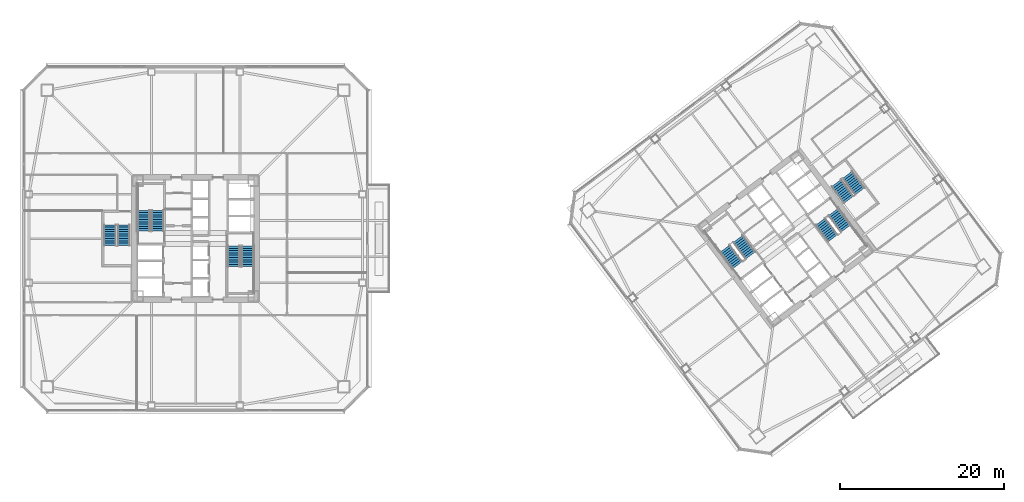
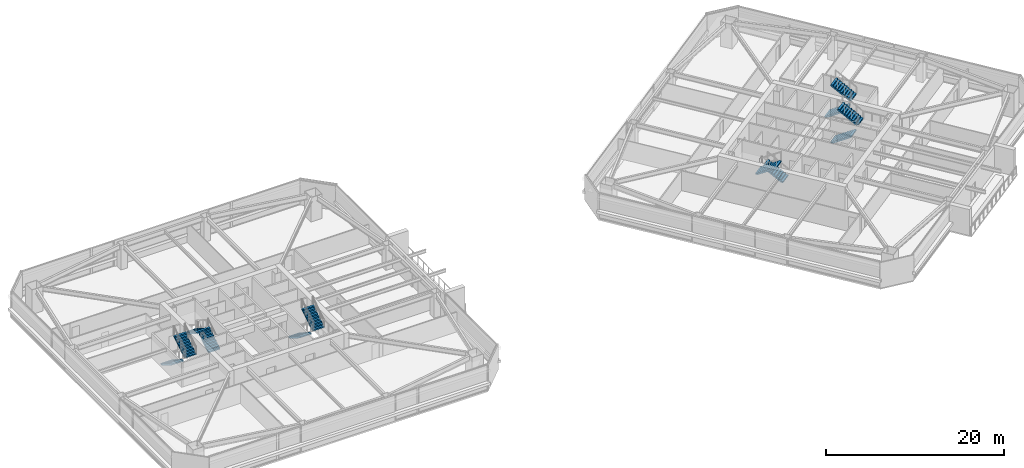
# One storey, part 39 of 46: 12 stair flights, 6 elements without a shape of their own.
"""IFC4 building model written with IfcOpenShell, lengths in metres."""

from ifc_helpers import new_model, si_unit, direction, frame, origin, place, context, subcontext, project, spatial, polyline, outline, extrude, material, type_object, element, aggregate, save


model = new_model("IFC4")

# Units and contexts
model_context = context("Model", 3, precision=1e-05, world=origin(), true_north=direction((0.0, 1.0)))
body_context = subcontext(model_context, "Body", "Model", "MODEL_VIEW")
ifc_project = project(units=[si_unit("LENGTHUNIT", "METRE"), si_unit("AREAUNIT", "SQUARE_METRE"), si_unit("VOLUMEUNIT", "CUBIC_METRE"), si_unit("PLANEANGLEUNIT", "RADIAN"), si_unit("MASSUNIT", "GRAM", prefix="KILO")], contexts=[model_context])

# Site, building, storey
site_placement = place(None, origin())
site = spatial("IfcSite", under=ifc_project, at=site_placement, CompositionType="ELEMENT")
building_placement = place(site_placement, origin())
building = spatial("IfcBuilding", under=site, at=building_placement, Name="Tashvorn Skyway Center", CompositionType="ELEMENT")
storey_placement = place(building_placement, frame((0.0, 0.0, 99.14990234375)))
storey = spatial("IfcBuildingStorey", under=building, at=storey_placement, Name="L26", CompositionType="ELEMENT", Elevation=99.14990234375)

# Stair, stair flights
ifc_material = material(Name="Concrete C40/50", Category="concrete")
stair_type = type_object("IfcStairType", Name="STAIR-CORE-1500", PredefinedType="HALF_TURN_STAIR", material=ifc_material)
stair_1_placement = place(storey_placement, origin())
stair_1 = element("IfcStair", 1, at=stair_1_placement, inside=storey, type_object=stair_type, Name="L26 Tower 1 Exit Stair 1", PredefinedType="HALF_TURN_STAIR")
stair_flight_type = type_object("IfcStairFlightType", Name="SFLIGHT-1500", PredefinedType="STRAIGHT", material=ifc_material)
stair_flight_1_placement = place(storey_placement, frame((37.35009765625, 32.919921875, 0.0), z_axis=(0.0, 0.0, 1.0), x_axis=(0.0, 1.0, 0.0)))
stair_flight_1 = element("IfcStairFlight", 2, at=stair_flight_1_placement, type_object=stair_flight_type, Name="ST-T1-1 flight 1", NumberOfRisers=10, NumberOfTreads=9, PredefinedType="STRAIGHT", RiserHeight=0.1775, TreadLength=0.28, context=body_context, shape_type="SweptSolid", body=[
    extrude(outline(polyline([(0.0, 0.0), (0.0, 0.177490234375), (0.280029296875, 0.177490234375), (0.280029296875, 0.35498046875), (0.56005859375, 0.35498046875), (0.56005859375, 0.532470703125), (0.840087890625, 0.532470703125), (0.840087890625, 0.7099609375), (1.1201171875, 0.7099609375), (1.1201171875, 0.887451171875), (1.39990234375, 0.887451171875), (1.39990234375, 1.06494140625), (1.679931640625, 1.06494140625), (1.679931640625, 1.242431640625), (1.9599609375, 1.242431640625), (1.9599609375, 1.419921875), (2.239990234375, 1.419921875), (2.239990234375, 1.597412109375), (2.52001953125, 1.597412109375), (2.52001953125, 1.77490234375), (2.52001953125, 1.419921875), (0.280029296875, 0.0), (0.0, 0.0)])), frame((0.0, 0.75, 0.0), z_axis=(0.0, -1.0, 0.0), x_axis=(1.0, 0.0, 0.0)), (0.0, 0.0, 1.0), 1.5),
])
stair_flight_2_placement = place(storey_placement, frame((35.64990234375, 35.43994140625, 1.775146484375), z_axis=(0.0, 0.0, 1.0), x_axis=(0.0, -1.0, 0.0)))
stair_flight_2 = element("IfcStairFlight", 3, at=stair_flight_2_placement, type_object=stair_flight_type, Name="ST-T1-1 flight 2", NumberOfRisers=10, NumberOfTreads=9, PredefinedType="STRAIGHT", RiserHeight=0.1775, TreadLength=0.28, context=body_context, shape_type="SweptSolid", body=[
    extrude(outline(polyline([(0.0, 0.0), (0.0, 0.177490234375), (0.280029296875, 0.177490234375), (0.280029296875, 0.35498046875), (0.56005859375, 0.35498046875), (0.56005859375, 0.532470703125), (0.840087890625, 0.532470703125), (0.840087890625, 0.7099609375), (1.1201171875, 0.7099609375), (1.1201171875, 0.887451171875), (1.39990234375, 0.887451171875), (1.39990234375, 1.06494140625), (1.679931640625, 1.06494140625), (1.679931640625, 1.242431640625), (1.9599609375, 1.242431640625), (1.9599609375, 1.419921875), (2.239990234375, 1.419921875), (2.239990234375, 1.597412109375), (2.52001953125, 1.597412109375), (2.52001953125, 1.77490234375), (2.52001953125, 1.419921875), (0.280029296875, 0.0), (0.0, 0.0)])), frame((0.0, 0.75, 0.0), z_axis=(0.0, -1.0, 0.0), x_axis=(1.0, 0.0, 0.0)), (0.0, 0.0, 1.0), 1.5),
])
aggregate(stair_1, [stair_flight_1, stair_flight_2])

stair_2_placement = place(storey_placement, origin())
stair_2 = element("IfcStair", 4, at=stair_2_placement, inside=storey, type_object=stair_type, Name="L26 Tower 1 Exit Stair 2", PredefinedType="HALF_TURN_STAIR")
stair_flight_3_placement = place(storey_placement, frame((46.64990234375, 31.080078125, 0.0), z_axis=(0.0, 0.0, 1.0), x_axis=(0.0, -1.0, 0.0)))
stair_flight_3 = element("IfcStairFlight", 5, at=stair_flight_3_placement, type_object=stair_flight_type, Name="ST-T1-2 flight 1", NumberOfRisers=10, NumberOfTreads=9, PredefinedType="STRAIGHT", RiserHeight=0.1775, TreadLength=0.28, context=body_context, shape_type="SweptSolid", body=[
    extrude(outline(polyline([(0.0, 0.0), (0.0, 0.177490234375), (0.280029296875, 0.177490234375), (0.280029296875, 0.35498046875), (0.56005859375, 0.35498046875), (0.56005859375, 0.532470703125), (0.840087890625, 0.532470703125), (0.840087890625, 0.7099609375), (1.1201171875, 0.7099609375), (1.1201171875, 0.887451171875), (1.39990234375, 0.887451171875), (1.39990234375, 1.06494140625), (1.679931640625, 1.06494140625), (1.679931640625, 1.242431640625), (1.9599609375, 1.242431640625), (1.9599609375, 1.419921875), (2.239990234375, 1.419921875), (2.239990234375, 1.597412109375), (2.52001953125, 1.597412109375), (2.52001953125, 1.77490234375), (2.52001953125, 1.419921875), (0.280029296875, 0.0), (0.0, 0.0)])), frame((0.0, 0.75, 0.0), z_axis=(0.0, -1.0, 0.0), x_axis=(1.0, 0.0, 0.0)), (0.0, 0.0, 1.0), 1.5),
])
stair_flight_4_placement = place(storey_placement, frame((48.35009765625, 28.56005859375, 1.775146484375), z_axis=(0.0, 0.0, 1.0), x_axis=(0.0, 1.0, 0.0)))
stair_flight_4 = element("IfcStairFlight", 6, at=stair_flight_4_placement, type_object=stair_flight_type, Name="ST-T1-2 flight 2", NumberOfRisers=10, NumberOfTreads=9, PredefinedType="STRAIGHT", RiserHeight=0.1775, TreadLength=0.28, context=body_context, shape_type="SweptSolid", body=[
    extrude(outline(polyline([(0.0, 0.0), (0.0, 0.177490234375), (0.280029296875, 0.177490234375), (0.280029296875, 0.35498046875), (0.56005859375, 0.35498046875), (0.56005859375, 0.532470703125), (0.840087890625, 0.532470703125), (0.840087890625, 0.7099609375), (1.1201171875, 0.7099609375), (1.1201171875, 0.887451171875), (1.39990234375, 0.887451171875), (1.39990234375, 1.06494140625), (1.679931640625, 1.06494140625), (1.679931640625, 1.242431640625), (1.9599609375, 1.242431640625), (1.9599609375, 1.419921875), (2.239990234375, 1.419921875), (2.239990234375, 1.597412109375), (2.52001953125, 1.597412109375), (2.52001953125, 1.77490234375), (2.52001953125, 1.419921875), (0.280029296875, 0.0), (0.0, 0.0)])), frame((0.0, 0.75, 0.0), z_axis=(0.0, -1.0, 0.0), x_axis=(1.0, 0.0, 0.0)), (0.0, 0.0, 1.0), 1.5),
])
aggregate(stair_2, [stair_flight_3, stair_flight_4])

stair_3_placement = place(storey_placement, origin())
stair_3 = element("IfcStair", 7, at=stair_3_placement, inside=storey, type_object=stair_type, Name="L26 Tower 2 Exit Stair 1", PredefinedType="HALF_TURN_STAIR")
stair_flight_5_placement = place(storey_placement, frame((109.72802734375, 29.946044921875, 0.0), z_axis=(0.0, 0.0, 1.0), x_axis=(-0.600000004945, 0.799999996291, 0.0)))
stair_flight_5 = element("IfcStairFlight", 8, at=stair_flight_5_placement, type_object=stair_flight_type, Name="ST-T2-1 flight 1", NumberOfRisers=10, NumberOfTreads=9, PredefinedType="STRAIGHT", RiserHeight=0.1775, TreadLength=0.28, context=body_context, shape_type="SweptSolid", body=[
    extrude(outline(polyline([(0.0, 0.0), (0.0, 0.177490234375), (0.280029296875, 0.177490234375), (0.280029296875, 0.35498046875), (0.56005859375, 0.35498046875), (0.56005859375, 0.532470703125), (0.840087890625, 0.532470703125), (0.840087890625, 0.7099609375), (1.1201171875, 0.7099609375), (1.1201171875, 0.887451171875), (1.39990234375, 0.887451171875), (1.39990234375, 1.06494140625), (1.679931640625, 1.06494140625), (1.679931640625, 1.242431640625), (1.9599609375, 1.242431640625), (1.9599609375, 1.419921875), (2.239990234375, 1.419921875), (2.239990234375, 1.597412109375), (2.52001953125, 1.597412109375), (2.52001953125, 1.77490234375), (2.52001953125, 1.419921875), (0.280029296875, 0.0), (0.0, 0.0)])), frame((0.0, 0.75, 0.0), z_axis=(0.0, -1.0, 0.0), x_axis=(1.0, 0.0, 0.0)), (0.0, 0.0, 1.0), 1.5),
])
stair_flight_6_placement = place(storey_placement, frame((106.632080078125, 30.77392578125, 1.775146484375), z_axis=(0.0, 0.0, 1.0), x_axis=(0.600000004945, -0.799999996291, 0.0)))
stair_flight_6 = element("IfcStairFlight", 9, at=stair_flight_6_placement, type_object=stair_flight_type, Name="ST-T2-1 flight 2", NumberOfRisers=10, NumberOfTreads=9, PredefinedType="STRAIGHT", RiserHeight=0.1775, TreadLength=0.28, context=body_context, shape_type="SweptSolid", body=[
    extrude(outline(polyline([(0.0, 0.0), (0.0, 0.177490234375), (0.280029296875, 0.177490234375), (0.280029296875, 0.35498046875), (0.56005859375, 0.35498046875), (0.56005859375, 0.532470703125), (0.840087890625, 0.532470703125), (0.840087890625, 0.7099609375), (1.1201171875, 0.7099609375), (1.1201171875, 0.887451171875), (1.39990234375, 0.887451171875), (1.39990234375, 1.06494140625), (1.679931640625, 1.06494140625), (1.679931640625, 1.242431640625), (1.9599609375, 1.242431640625), (1.9599609375, 1.419921875), (2.239990234375, 1.419921875), (2.239990234375, 1.597412109375), (2.52001953125, 1.597412109375), (2.52001953125, 1.77490234375), (2.52001953125, 1.419921875), (0.280029296875, 0.0), (0.0, 0.0)])), frame((0.0, 0.75, 0.0), z_axis=(0.0, -1.0, 0.0), x_axis=(1.0, 0.0, 0.0)), (0.0, 0.0, 1.0), 1.5),
])
aggregate(stair_3, [stair_flight_5, stair_flight_6])

stair_4_placement = place(storey_placement, origin())
stair_4 = element("IfcStair", 10, at=stair_4_placement, inside=storey, type_object=stair_type, Name="L26 Tower 2 Exit Stair 2", PredefinedType="HALF_TURN_STAIR")
stair_flight_7_placement = place(storey_placement, frame((118.27197265625, 34.053955078125, 0.0), z_axis=(0.0, 0.0, 1.0), x_axis=(0.600000004945, -0.799999996291, 0.0)))
stair_flight_7 = element("IfcStairFlight", 11, at=stair_flight_7_placement, type_object=stair_flight_type, Name="ST-T2-2 flight 1", NumberOfRisers=10, NumberOfTreads=9, PredefinedType="STRAIGHT", RiserHeight=0.1775, TreadLength=0.28, context=body_context, shape_type="SweptSolid", body=[
    extrude(outline(polyline([(0.0, 0.0), (0.0, 0.177490234375), (0.280029296875, 0.177490234375), (0.280029296875, 0.35498046875), (0.56005859375, 0.35498046875), (0.56005859375, 0.532470703125), (0.840087890625, 0.532470703125), (0.840087890625, 0.7099609375), (1.1201171875, 0.7099609375), (1.1201171875, 0.887451171875), (1.39990234375, 0.887451171875), (1.39990234375, 1.06494140625), (1.679931640625, 1.06494140625), (1.679931640625, 1.242431640625), (1.9599609375, 1.242431640625), (1.9599609375, 1.419921875), (2.239990234375, 1.419921875), (2.239990234375, 1.597412109375), (2.52001953125, 1.597412109375), (2.52001953125, 1.77490234375), (2.52001953125, 1.419921875), (0.280029296875, 0.0), (0.0, 0.0)])), frame((0.0, 0.75, 0.0), z_axis=(0.0, -1.0, 0.0), x_axis=(1.0, 0.0, 0.0)), (0.0, 0.0, 1.0), 1.5),
])
stair_flight_8_placement = place(storey_placement, frame((121.367919921875, 33.22607421875, 1.775146484375), z_axis=(0.0, 0.0, 1.0), x_axis=(-0.600000004945, 0.799999996291, 0.0)))
stair_flight_8 = element("IfcStairFlight", 12, at=stair_flight_8_placement, type_object=stair_flight_type, Name="ST-T2-2 flight 2", NumberOfRisers=10, NumberOfTreads=9, PredefinedType="STRAIGHT", RiserHeight=0.1775, TreadLength=0.28, context=body_context, shape_type="SweptSolid", body=[
    extrude(outline(polyline([(0.0, 0.0), (0.0, 0.177490234375), (0.280029296875, 0.177490234375), (0.280029296875, 0.35498046875), (0.56005859375, 0.35498046875), (0.56005859375, 0.532470703125), (0.840087890625, 0.532470703125), (0.840087890625, 0.7099609375), (1.1201171875, 0.7099609375), (1.1201171875, 0.887451171875), (1.39990234375, 0.887451171875), (1.39990234375, 1.06494140625), (1.679931640625, 1.06494140625), (1.679931640625, 1.242431640625), (1.9599609375, 1.242431640625), (1.9599609375, 1.419921875), (2.239990234375, 1.419921875), (2.239990234375, 1.597412109375), (2.52001953125, 1.597412109375), (2.52001953125, 1.77490234375), (2.52001953125, 1.419921875), (0.280029296875, 0.0), (0.0, 0.0)])), frame((0.0, 0.75, 0.0), z_axis=(0.0, -1.0, 0.0), x_axis=(1.0, 0.0, 0.0)), (0.0, 0.0, 1.0), 1.5),
])
aggregate(stair_4, [stair_flight_7, stair_flight_8])

stair_5_placement = place(storey_placement, origin())
stair_5 = element("IfcStair", 13, at=stair_5_placement, inside=storey, type_object=stair_type, Name="L26 Tower 1 Exit Stair 3", PredefinedType="HALF_TURN_STAIR")
stair_flight_9_placement = place(storey_placement, frame((31.550048828125, 33.679931640625, 0.0), z_axis=(0.0, 0.0, 1.0), x_axis=(0.0, -1.0, 0.0)))
stair_flight_9 = element("IfcStairFlight", 14, at=stair_flight_9_placement, type_object=stair_flight_type, Name="ST-T1-3 flight 1", NumberOfRisers=10, NumberOfTreads=9, PredefinedType="STRAIGHT", RiserHeight=0.1775, TreadLength=0.28, context=body_context, shape_type="SweptSolid", body=[
    extrude(outline(polyline([(0.0, 0.0), (0.0, 0.177490234375), (0.280029296875, 0.177490234375), (0.280029296875, 0.35498046875), (0.56005859375, 0.35498046875), (0.56005859375, 0.532470703125), (0.840087890625, 0.532470703125), (0.840087890625, 0.7099609375), (1.1201171875, 0.7099609375), (1.1201171875, 0.887451171875), (1.39990234375, 0.887451171875), (1.39990234375, 1.06494140625), (1.679931640625, 1.06494140625), (1.679931640625, 1.242431640625), (1.9599609375, 1.242431640625), (1.9599609375, 1.419921875), (2.239990234375, 1.419921875), (2.239990234375, 1.597412109375), (2.52001953125, 1.597412109375), (2.52001953125, 1.77490234375), (2.52001953125, 1.419921875), (0.280029296875, 0.0), (0.0, 0.0)])), frame((0.0, 0.75, 0.0), z_axis=(0.0, -1.0, 0.0), x_axis=(1.0, 0.0, 0.0)), (0.0, 0.0, 1.0), 1.5),
])
stair_flight_10_placement = place(storey_placement, frame((33.25, 31.159912109375, 1.775146484375), z_axis=(0.0, 0.0, 1.0), x_axis=(0.0, 1.0, 0.0)))
stair_flight_10 = element("IfcStairFlight", 15, at=stair_flight_10_placement, type_object=stair_flight_type, Name="ST-T1-3 flight 2", NumberOfRisers=10, NumberOfTreads=9, PredefinedType="STRAIGHT", RiserHeight=0.1775, TreadLength=0.28, context=body_context, shape_type="SweptSolid", body=[
    extrude(outline(polyline([(0.0, 0.0), (0.0, 0.177490234375), (0.280029296875, 0.177490234375), (0.280029296875, 0.35498046875), (0.56005859375, 0.35498046875), (0.56005859375, 0.532470703125), (0.840087890625, 0.532470703125), (0.840087890625, 0.7099609375), (1.1201171875, 0.7099609375), (1.1201171875, 0.887451171875), (1.39990234375, 0.887451171875), (1.39990234375, 1.06494140625), (1.679931640625, 1.06494140625), (1.679931640625, 1.242431640625), (1.9599609375, 1.242431640625), (1.9599609375, 1.419921875), (2.239990234375, 1.419921875), (2.239990234375, 1.597412109375), (2.52001953125, 1.597412109375), (2.52001953125, 1.77490234375), (2.52001953125, 1.419921875), (0.280029296875, 0.0), (0.0, 0.0)])), frame((0.0, 0.75, 0.0), z_axis=(0.0, -1.0, 0.0), x_axis=(1.0, 0.0, 0.0)), (0.0, 0.0, 1.0), 1.5),
])
aggregate(stair_5, [stair_flight_9, stair_flight_10])

stair_6_placement = place(storey_placement, origin())
stair_6 = element("IfcStair", 16, at=stair_6_placement, inside=storey, type_object=stair_type, Name="L26 Tower 2 Exit Stair 3", PredefinedType="HALF_TURN_STAIR")
stair_flight_11_placement = place(storey_placement, frame((120.216064453125, 38.761962890625, 0.0), z_axis=(0.0, 0.0, 1.0), x_axis=(0.600000004945, -0.799999996291, 0.0)))
stair_flight_11 = element("IfcStairFlight", 17, at=stair_flight_11_placement, type_object=stair_flight_type, Name="ST-T2-3 flight 1", NumberOfRisers=10, NumberOfTreads=9, PredefinedType="STRAIGHT", RiserHeight=0.1775, TreadLength=0.28, context=body_context, shape_type="SweptSolid", body=[
    extrude(outline(polyline([(0.0, 0.0), (0.0, 0.177490234375), (0.280029296875, 0.177490234375), (0.280029296875, 0.35498046875), (0.56005859375, 0.35498046875), (0.56005859375, 0.532470703125), (0.840087890625, 0.532470703125), (0.840087890625, 0.7099609375), (1.1201171875, 0.7099609375), (1.1201171875, 0.887451171875), (1.39990234375, 0.887451171875), (1.39990234375, 1.06494140625), (1.679931640625, 1.06494140625), (1.679931640625, 1.242431640625), (1.9599609375, 1.242431640625), (1.9599609375, 1.419921875), (2.239990234375, 1.419921875), (2.239990234375, 1.597412109375), (2.52001953125, 1.597412109375), (2.52001953125, 1.77490234375), (2.52001953125, 1.419921875), (0.280029296875, 0.0), (0.0, 0.0)])), frame((0.0, 0.75, 0.0), z_axis=(0.0, -1.0, 0.0), x_axis=(1.0, 0.0, 0.0)), (0.0, 0.0, 1.0), 1.5),
])
stair_flight_12_placement = place(storey_placement, frame((123.087890625, 37.76611328125, 1.775146484375), z_axis=(0.0, 0.0, 1.0), x_axis=(-0.600000004945, 0.799999996291, 0.0)))
stair_flight_12 = element("IfcStairFlight", 18, at=stair_flight_12_placement, type_object=stair_flight_type, Name="ST-T2-3 flight 2", NumberOfRisers=10, NumberOfTreads=9, PredefinedType="STRAIGHT", RiserHeight=0.1775, TreadLength=0.28, context=body_context, shape_type="SweptSolid", body=[
    extrude(outline(polyline([(0.0, 0.0), (0.0, 0.177490234375), (0.280029296875, 0.177490234375), (0.280029296875, 0.35498046875), (0.56005859375, 0.35498046875), (0.56005859375, 0.532470703125), (0.840087890625, 0.532470703125), (0.840087890625, 0.7099609375), (1.1201171875, 0.7099609375), (1.1201171875, 0.887451171875), (1.39990234375, 0.887451171875), (1.39990234375, 1.06494140625), (1.679931640625, 1.06494140625), (1.679931640625, 1.242431640625), (1.9599609375, 1.242431640625), (1.9599609375, 1.419921875), (2.239990234375, 1.419921875), (2.239990234375, 1.597412109375), (2.52001953125, 1.597412109375), (2.52001953125, 1.77490234375), (2.52001953125, 1.419921875), (0.280029296875, 0.0), (0.0, 0.0)])), frame((0.0, 0.75, 0.0), z_axis=(0.0, -1.0, 0.0), x_axis=(1.0, 0.0, 0.0)), (0.0, 0.0, 1.0), 1.5),
])
aggregate(stair_6, [stair_flight_11, stair_flight_12])

save(model, "model.ifc")
